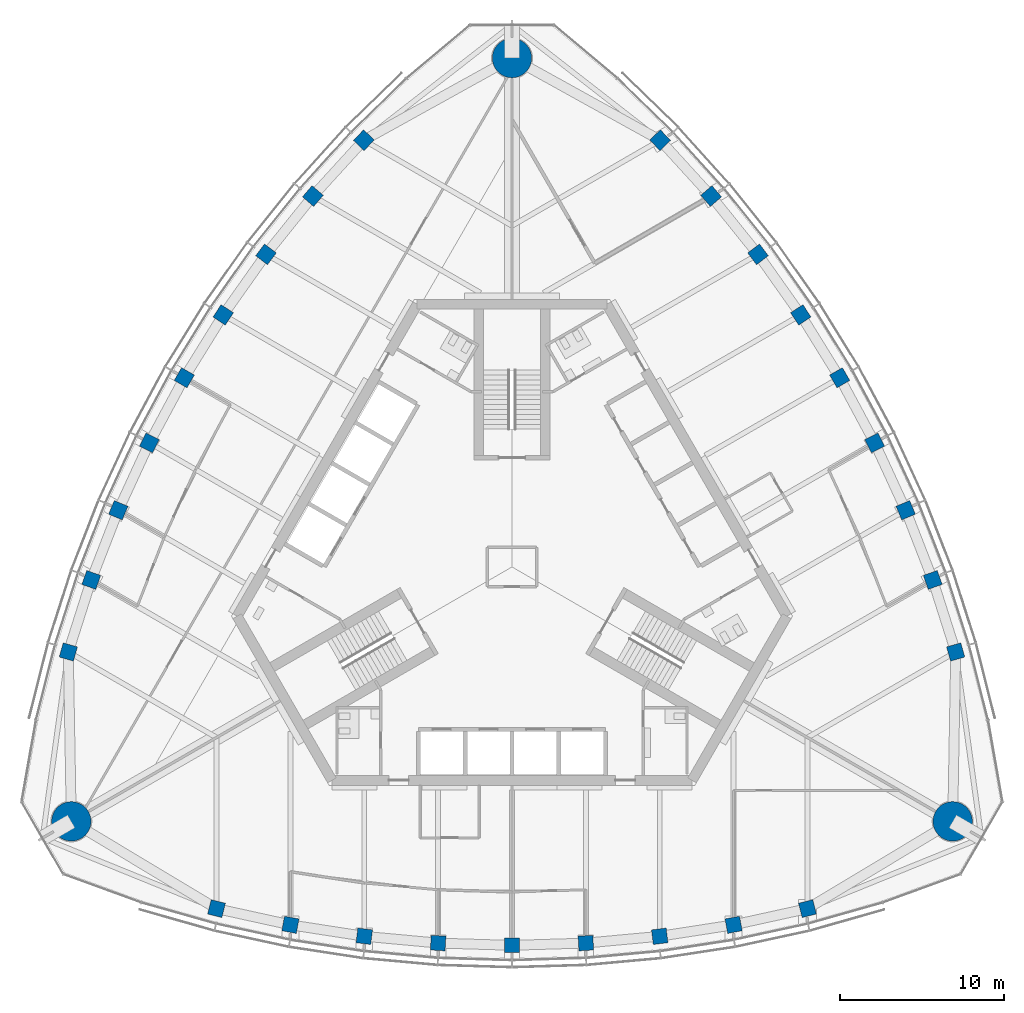
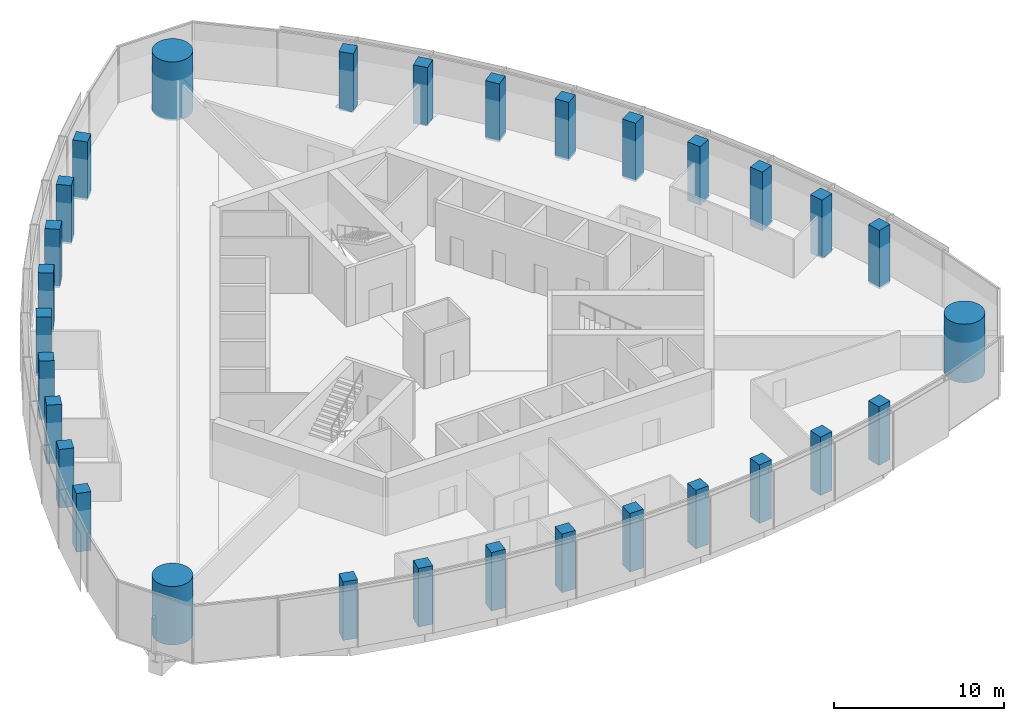
# One storey, part 1 of 16: 30 columns.
"""IFC4 building model written with IfcOpenShell, lengths in metres."""

from ifc_helpers import new_model, si_unit, direction, frame, origin, origin_2d, place, context, subcontext, project, spatial, rectangle, circle, extrude, material, material_profile, profile_set, type_object, element, save


model = new_model("IFC4")

# Units and contexts
model_context = context("Model", 3, precision=1e-05, world=origin(), true_north=direction((0.0, 1.0)))
body_context = subcontext(model_context, "Body", "Model", "MODEL_VIEW")
ifc_project = project(units=[si_unit("LENGTHUNIT", "METRE"), si_unit("AREAUNIT", "SQUARE_METRE"), si_unit("VOLUMEUNIT", "CUBIC_METRE"), si_unit("PLANEANGLEUNIT", "RADIAN"), si_unit("MASSUNIT", "GRAM", prefix="KILO")], contexts=[model_context])

# Site, building, storey
site_placement = place(None, origin())
site = spatial("IfcSite", under=ifc_project, at=site_placement, CompositionType="ELEMENT")
building_placement = place(site_placement, origin())
building = spatial("IfcBuilding", under=site, at=building_placement, Name="Trefoil Bronze Tower", CompositionType="ELEMENT")
storey_placement = place(building_placement, frame((0.0, 0.0, 309.89990234375)))
storey = spatial("IfcBuildingStorey", under=building, at=storey_placement, Name="L71", CompositionType="ELEMENT", Elevation=309.89990234375)

# Columns
ifc_material_1 = material(Name="Concrete B80", Category="concrete")
ifc_material_profile_1 = material_profile(ifc_material_1, circle(Radius=1.199951171875, at=origin_2d()), Name="RC D2400")
ifc_profile_set_1 = profile_set([ifc_material_profile_1], Name="Concrete B80")
column_type_1 = type_object("IfcColumnType", Name="Mega column RC D2400", PredefinedType="COLUMN", material=ifc_profile_set_1)
for number, where, z_axis, x_axis, name in (
    (1, (26.8466796875, -15.5, 0.0), (0.0, 0.0, 1.0), (1.0, 0.0, 0.0), "Mega column K1 L71"),
    (2, (0.0, 31.0, 0.0), (0.0, 0.0, 1.0), (1.0, 0.0, 0.0), "Mega column K2 L71"),
    (3, (-26.8466796875, -15.5, 0.0), (0.0, 0.0, 1.0), (1.0, 0.0, 0.0), "Mega column K3 L71"),
):
    element("IfcColumn", number, at=place(storey_placement, frame(where, z_axis=z_axis, x_axis=x_axis)), inside=storey, type_object=column_type_1, Name=name, PredefinedType="COLUMN", context=body_context, shape_type="SweptSolid", body=[
        extrude(circle(Radius=1.199951171875, at=origin_2d()), origin(), (0.0, 0.0, 1.0), 4.2001953125),
    ])
ifc_material_2 = material(Name="Concrete B80", Category="concrete")
ifc_material_profile_2 = material_profile(ifc_material_2, rectangle(XDim=0.89990234375, YDim=0.89990234375, at=origin_2d()), Name="RC 900x900")
ifc_profile_set_2 = profile_set([ifc_material_profile_2], Name="Concrete B80")
column_type_2 = type_object("IfcColumnType", Name="Tube column RC 900x900", PredefinedType="COLUMN", material=ifc_profile_set_2)
for number, where, z_axis, x_axis, name in (
    (4, (-18.0, -20.816162109375, 0.0), (0.0, 0.0, 1.0), (0.97017777199, -0.242394494031, 0.0), "Tube column F1/-4 L71"),
    (5, (-13.5, -21.802734375, 0.0), (0.0, 0.0, 1.0), (0.983360067227, -0.181667218242, 0.0), "Tube column F1/-3 L71"),
    (6, (-9.0, -22.499267578125, 0.0), (0.0, 0.0, 1.0), (0.992639174109, -0.121109330868, 0.0), "Tube column F1/-2 L71"),
    (7, (-4.5, -22.913818359375, 0.0), (0.0, 0.0, 1.0), (0.998164920349, -0.060554040199, 0.0), "Tube column F1/-1 L71"),
    (8, (0.0, -23.051513671875, 0.0), (0.0, 0.0, 1.0), (1.0, 0.0, 0.0), "Tube column F1/+0 L71"),
    (9, (4.5, -22.913818359375, 0.0), (0.0, 0.0, 1.0), (0.998164920349, 0.060554040199, 0.0), "Tube column F1/+1 L71"),
    (10, (9.0, -22.499267578125, 0.0), (0.0, 0.0, 1.0), (0.992639174109, 0.121109330868, 0.0), "Tube column F1/+2 L71"),
    (11, (13.5, -21.802734375, 0.0), (0.0, 0.0, 1.0), (0.983360067227, 0.181667218242, 0.0), "Tube column F1/+3 L71"),
    (12, (18.0, -20.816162109375, 0.0), (0.0, 0.0, 1.0), (0.97017777199, 0.242394494031, 0.0), "Tube column F1/+4 L71"),
    (13, (27.02734375, -5.180419921875, 0.0), (0.0, 0.0, 1.0), (-0.275169096426, 0.961395843746, 0.0), "Tube column F2/-4 L71"),
    (14, (25.631591796875, -0.7900390625, 0.0), (0.0, 0.0, 1.0), (-0.334351607581, 0.942448408407, 0.0), "Tube column F2/-3 L71"),
    (15, (23.98486328125, 3.455322265625, 0.0), (0.0, 0.0, 1.0), (-0.391435829888, 0.920205407004, 0.0), "Tube column F2/-2 L71"),
    (16, (22.093994140625, 7.559814453125, 0.0), (0.0, 0.0, 1.0), (-0.44664112306, 0.894713198289, 0.0), "Tube column F2/-1 L71"),
    (17, (19.96337890625, 11.52587890625, 0.0), (0.0, 0.0, 1.0), (-0.5, 0.866025403784, 0.0), "Tube column F2/+0 L71"),
    (18, (17.593994140625, 15.35400390625, 0.0), (0.0, 0.0, 1.0), (-0.551523797289, 0.834159158089, 0.0), "Tube column F2/+1 L71"),
    (19, (14.98486328125, 19.043701171875, 0.0), (0.0, 0.0, 1.0), (-0.601203344222, 0.799096076136, 0.0), "Tube column F2/+2 L71"),
    (20, (12.131591796875, 22.5927734375, 0.0), (0.0, 0.0, 1.0), (-0.649008459646, 0.760781190165, 0.0), "Tube column F2/+3 L71"),
    (21, (9.02734375, 25.99658203125, 0.0), (0.0, 0.0, 1.0), (-0.695008675564, 0.719001349715, 0.0), "Tube column F2/+4 L71"),
    (22, (-9.02734375, 25.99658203125, 0.0), (0.0, 0.0, 1.0), (-0.695008675564, -0.719001349715, 0.0), "Tube column F3/-4 L71"),
    (23, (-12.131591796875, 22.5927734375, 0.0), (0.0, 0.0, 1.0), (-0.649008459646, -0.760781190165, 0.0), "Tube column F3/-3 L71"),
    (24, (-14.98486328125, 19.043701171875, 0.0), (0.0, 0.0, 1.0), (-0.601203344222, -0.799096076136, 0.0), "Tube column F3/-2 L71"),
    (25, (-17.593994140625, 15.35400390625, 0.0), (0.0, 0.0, 1.0), (-0.551523797289, -0.834159158089, 0.0), "Tube column F3/-1 L71"),
    (26, (-19.96337890625, 11.52587890625, 0.0), (0.0, 0.0, 1.0), (-0.5, -0.866025403784, 0.0), "Tube column F3/+0 L71"),
    (27, (-22.093994140625, 7.559814453125, 0.0), (0.0, 0.0, 1.0), (-0.44664112306, -0.894713198289, 0.0), "Tube column F3/+1 L71"),
    (28, (-23.98486328125, 3.455322265625, 0.0), (0.0, 0.0, 1.0), (-0.391435829888, -0.920205407004, 0.0), "Tube column F3/+2 L71"),
    (29, (-25.631591796875, -0.7900390625, 0.0), (0.0, 0.0, 1.0), (-0.334351607581, -0.942448408407, 0.0), "Tube column F3/+3 L71"),
    (30, (-27.02734375, -5.180419921875, 0.0), (0.0, 0.0, 1.0), (-0.275169096426, -0.961395843746, 0.0), "Tube column F3/+4 L71"),
):
    element("IfcColumn", number, at=place(storey_placement, frame(where, z_axis=z_axis, x_axis=x_axis)), inside=storey, type_object=column_type_2, Name=name, PredefinedType="COLUMN", context=body_context, shape_type="SweptSolid", body=[
        extrude(rectangle(XDim=0.89990234375, YDim=0.89990234375, at=origin_2d()), origin(), (0.0, 0.0, 1.0), 4.2001953125),
    ])

save(model, "model.ifc")
